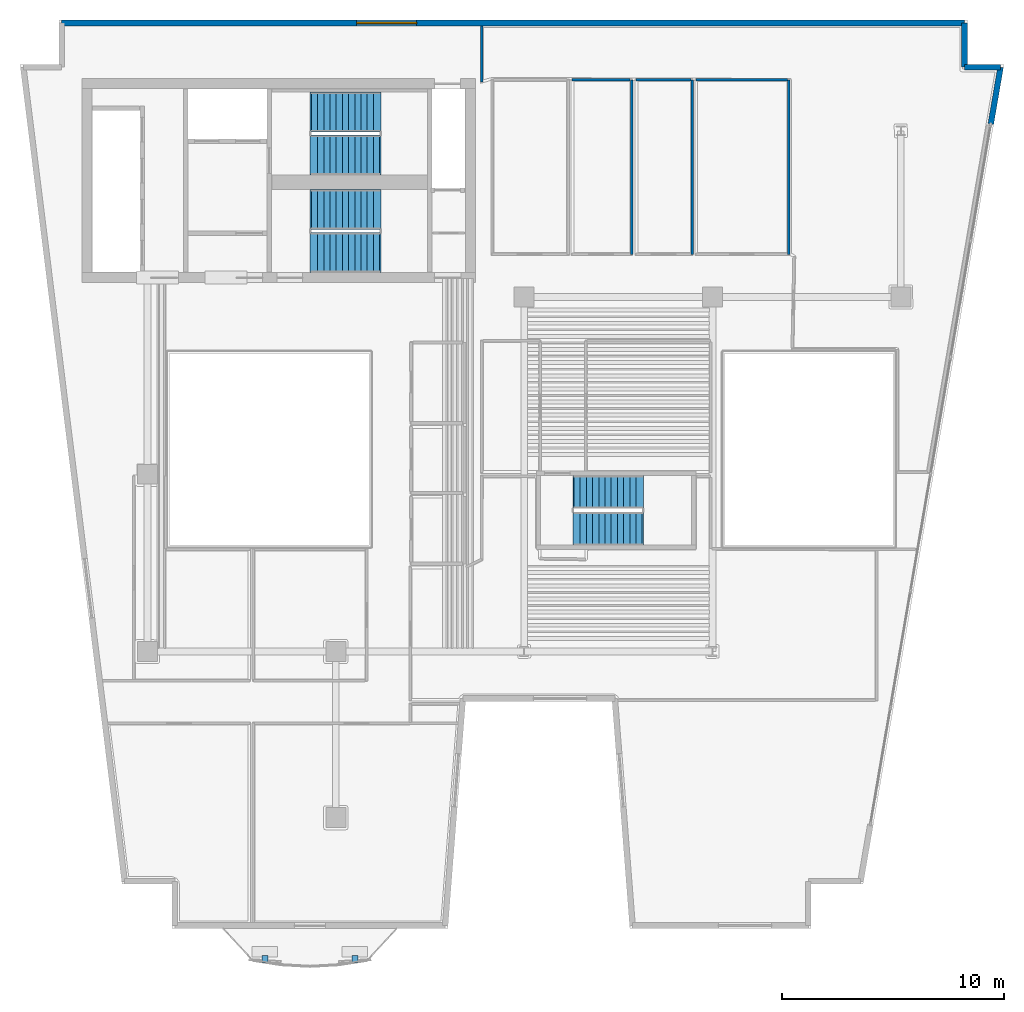
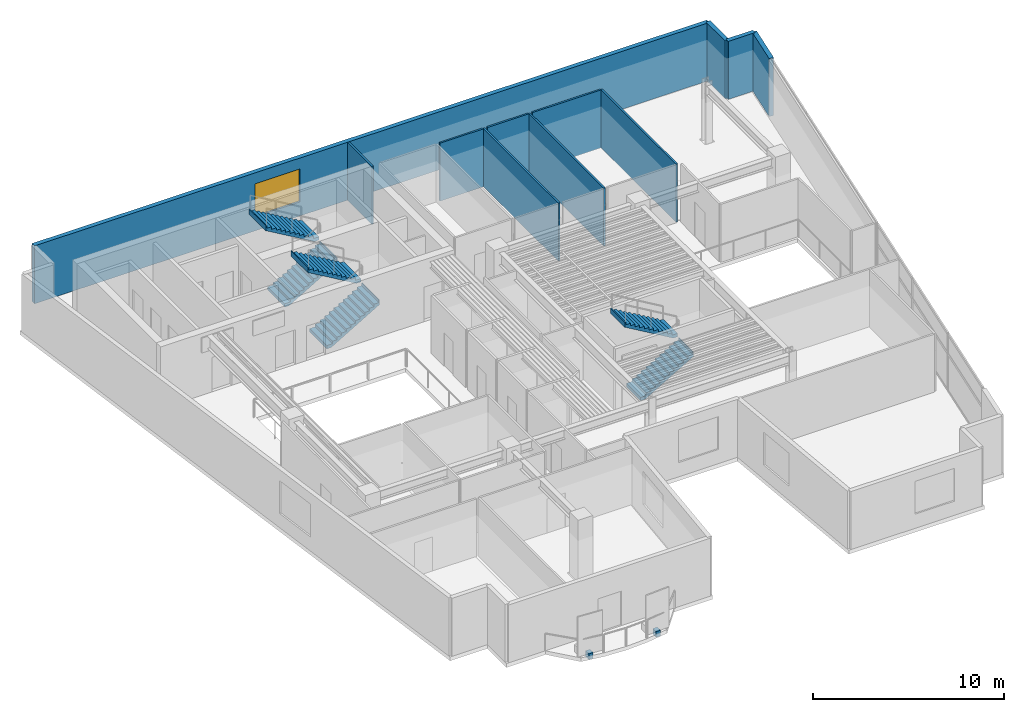
# One storey, part 6 of 9: 11 walls, 6 stair flights, 2 discrete accessories, 1 window, 1 opening, 3 elements without a shape of their own.
"""IFC4 building model written with IfcOpenShell, lengths in metres."""

from ifc_helpers import new_model, si_unit, direction, frame, frame_2d, origin, origin_2d, place, context, subcontext, project, spatial, polyline, rectangle, outline, extrude, material, layer, layer_set, type_object, element, fill, aggregate, save


model = new_model("IFC4")

# Units and contexts
model_context = context("Model", 3, precision=1e-05, world=origin(), true_north=direction((0.0, 1.0)))
body_context = subcontext(model_context, "Body", "Model", "MODEL_VIEW")
ifc_project = project(units=[si_unit("LENGTHUNIT", "METRE"), si_unit("AREAUNIT", "SQUARE_METRE"), si_unit("VOLUMEUNIT", "CUBIC_METRE"), si_unit("PLANEANGLEUNIT", "RADIAN"), si_unit("MASSUNIT", "GRAM", prefix="KILO")], contexts=[model_context])

# Site, building, storey
site_placement = place(None, origin())
site = spatial("IfcSite", under=ifc_project, at=site_placement, CompositionType="ELEMENT")
building_placement = place(site_placement, origin())
building = spatial("IfcBuilding", under=site, at=building_placement, Name="Caeloran Harvest Quay", CompositionType="ELEMENT")
storey_placement = place(building_placement, frame((0.0, 0.0, 199.550048828125)))
storey = spatial("IfcBuildingStorey", under=building, at=storey_placement, Name="L47", CompositionType="ELEMENT", Elevation=199.550048828125)

# Wall, opening, window
ifc_material_1 = material(Name="Precast concrete C50/60", Category="concrete")
ifc_layer_1 = layer(ifc_material_1, 0.260009765625, Name="Precast concrete C50/60")
ifc_layer_set_1 = layer_set([ifc_layer_1], Name="Precast concrete C50/60")
wall_type_1 = type_object("IfcWallType", Name="ENV-WALL-EW-260", PredefinedType="STANDARD", material=ifc_layer_set_1)
wall_1_placement = place(storey_placement, frame((4.6298828125, 43.3701171875, 0.0), z_axis=(0.0, 0.0, 1.0), x_axis=(1.0, 0.0, 0.0)))
wall_1 = element("IfcWall", 1, at=wall_1_placement, inside=storey, type_object=wall_type_1, Name="L47 Exterior Precast Concrete Facade Wall 6", PredefinedType="STANDARD", context=body_context, shape_type="SweptSolid", body=[
    extrude(rectangle(XDim=40.740234375, YDim=0.260009765625, at=frame_2d((20.3701171875, 0.0))), origin(), (0.0, 0.0, 1.0), 3.699951171875),
])
opening_placement = place(wall_1_placement, frame((13.31591796875, 0.0, 0.89990234375)))
opening = element("IfcOpeningElement", 2, at=opening_placement, cuts=wall_1, Name="Opening W-07", PredefinedType="OPENING", context=body_context, shape_type="SweptSolid", body=[
    extrude(rectangle(XDim=2.699951171875, YDim=2.10009765625, at=frame_2d((1.35009765625, 1.050048828125))), frame((0.0, 0.14013671875, 0.0), z_axis=(0.0, -1.0, 0.0), x_axis=(1.0, 0.0, 0.0)), (0.0, 0.0, 1.0), 0.280029296875),
])
ifc_material_2 = material(Name="Aluminium-Framed Low-E Laminated Glass", Category="aluminium")
window_type = type_object("IfcWindowType", Name="WIN-W-07", PartitioningType="DOUBLE_PANEL_VERTICAL", PredefinedType="WINDOW", material=ifc_material_2)
window_placement = place(opening_placement, origin())
window = element("IfcWindow", 3, at=window_placement, inside=storey, type_object=window_type, Name="L47 Facade Punched Window W-07", OverallHeight=2.10009765625, OverallWidth=2.699951171875, PartitioningType="DOUBLE_PANEL_VERTICAL", PredefinedType="WINDOW", context=body_context, shape_type="SweptSolid", body=[
    extrude(rectangle(XDim=2.699951171875, YDim=2.10009765625, at=frame_2d((1.35009765625, 1.050048828125))), frame((0.0, 0.030029296875, 0.0), z_axis=(0.0, -1.0, 0.0), x_axis=(1.0, 0.0, 0.0)), (0.0, 0.0, 1.0), 0.06005859375),
])
fill(opening, window)

# Walls
wall_2_placement = place(storey_placement, frame((45.3701171875, 43.3701171875, 0.0), z_axis=(0.0, 0.0, 1.0), x_axis=(0.0, -1.0, 0.0)))
element("IfcWall", 4, at=wall_2_placement, inside=storey, type_object=wall_type_1, Name="L47 Exterior Precast Concrete Facade Wall 7", PredefinedType="STANDARD", context=body_context, shape_type="SweptSolid", body=[
    extrude(rectangle(XDim=2.0, YDim=0.260009765625, at=frame_2d((1.0, 0.0))), origin(), (0.0, 0.0, 1.0), 3.699951171875),
])
wall_3_placement = place(storey_placement, frame((45.3701171875, 41.3701171875, 0.0), z_axis=(0.0, 0.0, 1.0), x_axis=(1.0, 0.0, 0.0)))
element("IfcWall", 5, at=wall_3_placement, inside=storey, type_object=wall_type_1, Name="L47 Exterior Precast Concrete Facade Wall 8", PredefinedType="STANDARD", context=body_context, shape_type="SweptSolid", body=[
    extrude(rectangle(XDim=1.6318359375, YDim=0.260009765625, at=frame_2d((0.81591796875, 0.0))), origin(), (0.0, 0.0, 1.0), 3.699951171875),
])
wall_4_placement = place(storey_placement, frame((47.001953125, 41.3701171875, 0.0), z_axis=(0.0, 0.0, 1.0), x_axis=(-0.169391215599, -0.98554889076, 0.0)))
element("IfcWall", 6, at=wall_4_placement, inside=storey, type_object=wall_type_1, Name="L47 Exterior Facade Corner Pier Wall 9A", PredefinedType="STANDARD", context=body_context, shape_type="SweptSolid", body=[
    extrude(rectangle(XDim=2.60009765625, YDim=0.260009765625, at=frame_2d((1.300048828125, 0.0))), origin(), (0.0, 0.0, 1.0), 3.699951171875),
])
ifc_material_3 = material(Name="Single-Stud Acoustic Gypsum Office Partition", Category="gypsum")
ifc_layer_2 = layer(ifc_material_3, 0.112060546875, Name="Single-Stud Acoustic Gypsum Office Partition")
ifc_layer_set_2 = layer_set([ifc_layer_2], Name="Single-Stud Acoustic Gypsum Office Partition")
wall_type_2 = type_object("IfcWallType", Name="INT-WALL-PW-112", PredefinedType="PARTITIONING", material=ifc_layer_set_2)
wall_5_placement = place(storey_placement, frame((30.35009765625, 40.800048828125, 0.0), z_axis=(0.0, 0.0, 1.0), x_axis=(0.0, -1.0, 0.0)))
element("IfcWall", 7, at=wall_5_placement, inside=storey, type_object=wall_type_2, Name="L47 Seed Imaging Laboratory Partition Wall", PredefinedType="PARTITIONING", context=body_context, shape_type="SweptSolid", body=[
    extrude(rectangle(XDim=7.880126953125, YDim=0.112060546875, at=frame_2d((3.93994140625, 0.0))), origin(), (0.0, 0.0, 1.0), 3.699951171875),
])
wall_6_placement = place(storey_placement, frame((27.659912109375, 40.800048828125, 0.0), z_axis=(0.0, 0.0, 1.0), x_axis=(1.0, 0.0, 0.0)))
element("IfcWall", 8, at=wall_6_placement, inside=storey, type_object=wall_type_2, Name="L47 Seed Imaging Laboratory Partition Wall", PredefinedType="PARTITIONING", context=body_context, shape_type="SweptSolid", body=[
    extrude(rectangle(XDim=2.629150390625, YDim=0.112060546875, at=frame_2d((1.314453125, 0.0))), origin(), (0.0, 0.0, 1.0), 3.699951171875),
])
wall_7_placement = place(storey_placement, frame((33.090087890625, 40.800048828125, 0.0), z_axis=(0.0, 0.0, 1.0), x_axis=(0.0, -1.0, 0.0)))
element("IfcWall", 9, at=wall_7_placement, inside=storey, type_object=wall_type_2, Name="L47 Genomics Seminar West Room Partition Wall", PredefinedType="PARTITIONING", context=body_context, shape_type="SweptSolid", body=[
    extrude(rectangle(XDim=7.880126953125, YDim=0.112060546875, at=frame_2d((3.93994140625, 0.0))), origin(), (0.0, 0.0, 1.0), 3.699951171875),
])
wall_8_placement = place(storey_placement, frame((30.550048828125, 40.800048828125, 0.0), z_axis=(0.0, 0.0, 1.0), x_axis=(1.0, 0.0, 0.0)))
element("IfcWall", 10, at=wall_8_placement, inside=storey, type_object=wall_type_2, Name="L47 Genomics Seminar West Room Partition Wall", PredefinedType="PARTITIONING", context=body_context, shape_type="SweptSolid", body=[
    extrude(rectangle(XDim=2.47900390625, YDim=0.112060546875, at=frame_2d((1.239501953125, 0.0))), origin(), (0.0, 0.0, 1.0), 3.699951171875),
])
wall_9_placement = place(storey_placement, frame((37.449951171875, 40.800048828125, 0.0), z_axis=(0.0, 0.0, 1.0), x_axis=(0.0, -1.0, 0.0)))
element("IfcWall", 11, at=wall_9_placement, inside=storey, type_object=wall_type_2, Name="L47 Executive Archive East Studio Partition Wall", PredefinedType="PARTITIONING", context=body_context, shape_type="SweptSolid", body=[
    extrude(rectangle(XDim=7.880126953125, YDim=0.112060546875, at=frame_2d((3.93994140625, 0.0))), origin(), (0.0, 0.0, 1.0), 3.699951171875),
])
wall_10_placement = place(storey_placement, frame((33.25, 40.800048828125, 0.0), z_axis=(0.0, 0.0, 1.0), x_axis=(1.0, 0.0, 0.0)))
element("IfcWall", 12, at=wall_10_placement, inside=storey, type_object=wall_type_2, Name="L47 Executive Archive East Studio Partition Wall", PredefinedType="PARTITIONING", context=body_context, shape_type="SweptSolid", body=[
    extrude(rectangle(XDim=4.138916015625, YDim=0.112060546875, at=frame_2d((2.0693359375, 0.0))), origin(), (0.0, 0.0, 1.0), 3.699951171875),
])
wall_11_placement = place(storey_placement, frame((23.580078125, 40.693115234375, 0.0), z_axis=(0.0, 0.0, 1.0), x_axis=(0.0, 1.0, 0.0)))
element("IfcWall", 13, at=wall_11_placement, inside=storey, type_object=wall_type_2, Name="IT Comms Laboratory Partition Wall", PredefinedType="PARTITIONING", context=body_context, shape_type="SweptSolid", body=[
    extrude(rectangle(XDim=2.5419921875, YDim=0.112060546875, at=frame_2d((1.27099609375, 0.0))), origin(), (0.0, 0.0, 1.0), 3.699951171875),
])

# Stair, stair flights
ifc_material_4 = material(Name="Concrete C50/60", Category="concrete")
stair_type_1 = type_object("IfcStairType", Name="STAIR-STC-180", PredefinedType="HALF_TURN_STAIR", material=ifc_material_4)
stair_1_placement = place(storey_placement, origin())
stair_1 = element("IfcStair", 14, at=stair_1_placement, inside=storey, type_object=stair_type_1, Name="L47 Core Pressurized Exit Stair ST-C1", PredefinedType="HALF_TURN_STAIR")
stair_flight_type_1 = type_object("IfcStairFlightType", Name="FLIGHT-STC-180", PredefinedType="STRAIGHT", material=ifc_material_4)
stair_flight_1_placement = place(storey_placement, frame((15.89990234375, 37.39990234375, 0.0), z_axis=(0.0, 0.0, 1.0), x_axis=(1.0, 0.0, 0.0)))
stair_flight_1 = element("IfcStairFlight", 15, at=stair_flight_1_placement, type_object=stair_flight_type_1, Name="ST-C1 flight 1", NumberOfRisers=12, NumberOfTreads=11, PredefinedType="STRAIGHT", RiserHeight=0.164583333, TreadLength=0.28, context=body_context, shape_type="SweptSolid", body=[
    extrude(outline(polyline([(-0.054931640625, -0.044921875), (-0.054931640625, -0.031982421875), (-0.054931640625, -0.018798828125), (-0.054931640625, -0.005615234375), (-0.054931640625, 0.00732421875), (-0.054931640625, 0.0205078125), (-0.054931640625, 0.03369140625), (-0.054931640625, 0.046630859375), (-0.054931640625, 0.059814453125), (-0.054931640625, 0.072998046875), (-0.054931640625, 0.0859375), (-0.054931640625, 0.09912109375), (-0.054931640625, 0.1123046875), (-0.054931640625, 0.125244140625), (-0.054931640625, 0.138427734375), (-0.054931640625, 0.1513671875), (-0.054931640625, 0.16455078125), (0.280029296875, 0.16455078125), (0.280029296875, 0.3291015625), (0.56005859375, 0.3291015625), (0.56005859375, 0.49365234375), (0.840087890625, 0.49365234375), (0.840087890625, 0.658447265625), (1.1201171875, 0.658447265625), (1.1201171875, 0.822998046875), (1.39990234375, 0.822998046875), (1.39990234375, 0.987548828125), (1.679931640625, 0.987548828125), (1.679931640625, 1.152099609375), (1.9599609375, 1.152099609375), (1.9599609375, 1.316650390625), (2.239990234375, 1.316650390625), (2.239990234375, 1.481201171875), (2.52001953125, 1.481201171875), (2.52001953125, 1.645751953125), (2.800048828125, 1.645751953125), (2.800048828125, 1.810302734375), (3.080078125, 1.810302734375), (3.080078125, 1.97509765625), (3.135009765625, 1.97509765625), (3.135009765625, 1.953857421875), (3.135009765625, 1.9326171875), (3.135009765625, 1.91162109375), (3.135009765625, 1.890380859375), (3.135009765625, 1.869140625), (3.135009765625, 1.84814453125), (3.135009765625, 1.826904296875), (3.135009765625, 1.8056640625), (3.135009765625, 1.78466796875), (3.135009765625, 1.763427734375), (3.135009765625, 1.7421875), (3.135009765625, 1.72119140625), (3.135009765625, 1.699951171875), (3.135009765625, 1.678955078125), (3.135009765625, 1.65771484375), (3.135009765625, 1.636474609375), (3.080078125, 1.636474609375), (0.21923828125, -0.044921875), (-0.054931640625, -0.044921875)])), frame((0.0, 0.89990234375, 0.0), z_axis=(0.0, -1.0, 0.0), x_axis=(1.0, 0.0, 0.0)), (0.0, 0.0, 1.0), 1.800048828125),
])
stair_flight_2_placement = place(storey_placement, frame((18.97998046875, 39.35009765625, 1.974853515625), z_axis=(0.0, 0.0, 1.0), x_axis=(-1.0, 0.0, 0.0)))
stair_flight_2 = element("IfcStairFlight", 16, at=stair_flight_2_placement, type_object=stair_flight_type_1, Name="ST-C1 flight 2", NumberOfRisers=12, NumberOfTreads=11, PredefinedType="STRAIGHT", RiserHeight=0.164583333, TreadLength=0.28, context=body_context, shape_type="SweptSolid", body=[
    extrude(outline(polyline([(-0.054931640625, -0.044921875), (-0.054931640625, -0.031982421875), (-0.054931640625, -0.018798828125), (-0.054931640625, -0.005615234375), (-0.054931640625, 0.00732421875), (-0.054931640625, 0.0205078125), (-0.054931640625, 0.03369140625), (-0.054931640625, 0.046630859375), (-0.054931640625, 0.059814453125), (-0.054931640625, 0.072998046875), (-0.054931640625, 0.0859375), (-0.054931640625, 0.09912109375), (-0.054931640625, 0.1123046875), (-0.054931640625, 0.125244140625), (-0.054931640625, 0.138427734375), (-0.054931640625, 0.1513671875), (-0.054931640625, 0.16455078125), (0.280029296875, 0.16455078125), (0.280029296875, 0.3291015625), (0.56005859375, 0.3291015625), (0.56005859375, 0.49365234375), (0.840087890625, 0.49365234375), (0.840087890625, 0.658447265625), (1.1201171875, 0.658447265625), (1.1201171875, 0.822998046875), (1.39990234375, 0.822998046875), (1.39990234375, 0.987548828125), (1.679931640625, 0.987548828125), (1.679931640625, 1.152099609375), (1.9599609375, 1.152099609375), (1.9599609375, 1.316650390625), (2.239990234375, 1.316650390625), (2.239990234375, 1.481201171875), (2.52001953125, 1.481201171875), (2.52001953125, 1.645751953125), (2.800048828125, 1.645751953125), (2.800048828125, 1.810302734375), (3.080078125, 1.810302734375), (3.080078125, 1.97509765625), (3.135009765625, 1.97509765625), (3.135009765625, 1.953857421875), (3.135009765625, 1.9326171875), (3.135009765625, 1.91162109375), (3.135009765625, 1.890380859375), (3.135009765625, 1.869140625), (3.135009765625, 1.84814453125), (3.135009765625, 1.826904296875), (3.135009765625, 1.8056640625), (3.135009765625, 1.78466796875), (3.135009765625, 1.763427734375), (3.135009765625, 1.7421875), (3.135009765625, 1.72119140625), (3.135009765625, 1.699951171875), (3.135009765625, 1.678955078125), (3.135009765625, 1.65771484375), (3.135009765625, 1.636474609375), (3.080078125, 1.636474609375), (0.21923828125, -0.044921875), (-0.054931640625, -0.044921875)])), frame((0.0, 0.89990234375, 0.0), z_axis=(0.0, -1.0, 0.0), x_axis=(1.0, 0.0, 0.0)), (0.0, 0.0, 1.0), 1.800048828125),
])
aggregate(stair_1, [stair_flight_1, stair_flight_2])

stair_2_placement = place(storey_placement, origin())
stair_2 = element("IfcStair", 17, at=stair_2_placement, inside=storey, type_object=stair_type_1, Name="L47 Core Pressurized Exit Stair ST-C2", PredefinedType="HALF_TURN_STAIR")
stair_flight_3_placement = place(storey_placement, frame((15.89990234375, 33.0, 0.0), z_axis=(0.0, 0.0, 1.0), x_axis=(1.0, 0.0, 0.0)))
stair_flight_3 = element("IfcStairFlight", 18, at=stair_flight_3_placement, type_object=stair_flight_type_1, Name="ST-C2 flight 1", NumberOfRisers=12, NumberOfTreads=11, PredefinedType="STRAIGHT", RiserHeight=0.164583333, TreadLength=0.28, context=body_context, shape_type="SweptSolid", body=[
    extrude(outline(polyline([(-0.054931640625, -0.044921875), (-0.054931640625, -0.031982421875), (-0.054931640625, -0.018798828125), (-0.054931640625, -0.005615234375), (-0.054931640625, 0.00732421875), (-0.054931640625, 0.0205078125), (-0.054931640625, 0.03369140625), (-0.054931640625, 0.046630859375), (-0.054931640625, 0.059814453125), (-0.054931640625, 0.072998046875), (-0.054931640625, 0.0859375), (-0.054931640625, 0.09912109375), (-0.054931640625, 0.1123046875), (-0.054931640625, 0.125244140625), (-0.054931640625, 0.138427734375), (-0.054931640625, 0.1513671875), (-0.054931640625, 0.16455078125), (0.280029296875, 0.16455078125), (0.280029296875, 0.3291015625), (0.56005859375, 0.3291015625), (0.56005859375, 0.49365234375), (0.840087890625, 0.49365234375), (0.840087890625, 0.658447265625), (1.1201171875, 0.658447265625), (1.1201171875, 0.822998046875), (1.39990234375, 0.822998046875), (1.39990234375, 0.987548828125), (1.679931640625, 0.987548828125), (1.679931640625, 1.152099609375), (1.9599609375, 1.152099609375), (1.9599609375, 1.316650390625), (2.239990234375, 1.316650390625), (2.239990234375, 1.481201171875), (2.52001953125, 1.481201171875), (2.52001953125, 1.645751953125), (2.800048828125, 1.645751953125), (2.800048828125, 1.810302734375), (3.080078125, 1.810302734375), (3.080078125, 1.97509765625), (3.135009765625, 1.97509765625), (3.135009765625, 1.953857421875), (3.135009765625, 1.9326171875), (3.135009765625, 1.91162109375), (3.135009765625, 1.890380859375), (3.135009765625, 1.869140625), (3.135009765625, 1.84814453125), (3.135009765625, 1.826904296875), (3.135009765625, 1.8056640625), (3.135009765625, 1.78466796875), (3.135009765625, 1.763427734375), (3.135009765625, 1.7421875), (3.135009765625, 1.72119140625), (3.135009765625, 1.699951171875), (3.135009765625, 1.678955078125), (3.135009765625, 1.65771484375), (3.135009765625, 1.636474609375), (3.080078125, 1.636474609375), (0.21923828125, -0.044921875), (-0.054931640625, -0.044921875)])), frame((0.0, 0.89990234375, 0.0), z_axis=(0.0, -1.0, 0.0), x_axis=(1.0, 0.0, 0.0)), (0.0, 0.0, 1.0), 1.800048828125),
])
stair_flight_4_placement = place(storey_placement, frame((18.97998046875, 34.949951171875, 1.974853515625), z_axis=(0.0, 0.0, 1.0), x_axis=(-1.0, 0.0, 0.0)))
stair_flight_4 = element("IfcStairFlight", 19, at=stair_flight_4_placement, type_object=stair_flight_type_1, Name="ST-C2 flight 2", NumberOfRisers=12, NumberOfTreads=11, PredefinedType="STRAIGHT", RiserHeight=0.164583333, TreadLength=0.28, context=body_context, shape_type="SweptSolid", body=[
    extrude(outline(polyline([(-0.054931640625, -0.044921875), (-0.054931640625, -0.031982421875), (-0.054931640625, -0.018798828125), (-0.054931640625, -0.005615234375), (-0.054931640625, 0.00732421875), (-0.054931640625, 0.0205078125), (-0.054931640625, 0.03369140625), (-0.054931640625, 0.046630859375), (-0.054931640625, 0.059814453125), (-0.054931640625, 0.072998046875), (-0.054931640625, 0.0859375), (-0.054931640625, 0.09912109375), (-0.054931640625, 0.1123046875), (-0.054931640625, 0.125244140625), (-0.054931640625, 0.138427734375), (-0.054931640625, 0.1513671875), (-0.054931640625, 0.16455078125), (0.280029296875, 0.16455078125), (0.280029296875, 0.3291015625), (0.56005859375, 0.3291015625), (0.56005859375, 0.49365234375), (0.840087890625, 0.49365234375), (0.840087890625, 0.658447265625), (1.1201171875, 0.658447265625), (1.1201171875, 0.822998046875), (1.39990234375, 0.822998046875), (1.39990234375, 0.987548828125), (1.679931640625, 0.987548828125), (1.679931640625, 1.152099609375), (1.9599609375, 1.152099609375), (1.9599609375, 1.316650390625), (2.239990234375, 1.316650390625), (2.239990234375, 1.481201171875), (2.52001953125, 1.481201171875), (2.52001953125, 1.645751953125), (2.800048828125, 1.645751953125), (2.800048828125, 1.810302734375), (3.080078125, 1.810302734375), (3.080078125, 1.97509765625), (3.135009765625, 1.97509765625), (3.135009765625, 1.953857421875), (3.135009765625, 1.9326171875), (3.135009765625, 1.91162109375), (3.135009765625, 1.890380859375), (3.135009765625, 1.869140625), (3.135009765625, 1.84814453125), (3.135009765625, 1.826904296875), (3.135009765625, 1.8056640625), (3.135009765625, 1.78466796875), (3.135009765625, 1.763427734375), (3.135009765625, 1.7421875), (3.135009765625, 1.72119140625), (3.135009765625, 1.699951171875), (3.135009765625, 1.678955078125), (3.135009765625, 1.65771484375), (3.135009765625, 1.636474609375), (3.080078125, 1.636474609375), (0.21923828125, -0.044921875), (-0.054931640625, -0.044921875)])), frame((0.0, 0.89990234375, 0.0), z_axis=(0.0, -1.0, 0.0), x_axis=(1.0, 0.0, 0.0)), (0.0, 0.0, 1.0), 1.800048828125),
])
aggregate(stair_2, [stair_flight_3, stair_flight_4])

stair_type_2 = type_object("IfcStairType", Name="STAIR-STW-150", PredefinedType="HALF_TURN_STAIR", material=ifc_material_4)
stair_3_placement = place(storey_placement, origin())
stair_3 = element("IfcStair", 20, at=stair_3_placement, inside=storey, type_object=stair_type_2, Name="L47 East Wing Protected Exit Stair ST-W1", PredefinedType="HALF_TURN_STAIR")
stair_flight_type_2 = type_object("IfcStairFlightType", Name="FLIGHT-STW-150", PredefinedType="STRAIGHT", material=ifc_material_4)
stair_flight_5_placement = place(storey_placement, frame((27.75, 20.550048828125, 0.0), z_axis=(0.0, 0.0, 1.0), x_axis=(1.0, 0.0, 0.0)))
stair_flight_5 = element("IfcStairFlight", 21, at=stair_flight_5_placement, type_object=stair_flight_type_2, Name="ST-W1 flight 1", NumberOfRisers=12, NumberOfTreads=11, PredefinedType="STRAIGHT", RiserHeight=0.164583333, TreadLength=0.28, context=body_context, shape_type="SweptSolid", body=[
    extrude(outline(polyline([(-0.054931640625, -0.044921875), (-0.054931640625, -0.031982421875), (-0.054931640625, -0.018798828125), (-0.054931640625, -0.005615234375), (-0.054931640625, 0.00732421875), (-0.054931640625, 0.0205078125), (-0.054931640625, 0.03369140625), (-0.054931640625, 0.046630859375), (-0.054931640625, 0.059814453125), (-0.054931640625, 0.072998046875), (-0.054931640625, 0.0859375), (-0.054931640625, 0.09912109375), (-0.054931640625, 0.1123046875), (-0.054931640625, 0.125244140625), (-0.054931640625, 0.138427734375), (-0.054931640625, 0.1513671875), (-0.054931640625, 0.16455078125), (0.280029296875, 0.16455078125), (0.280029296875, 0.3291015625), (0.56005859375, 0.3291015625), (0.56005859375, 0.49365234375), (0.840087890625, 0.49365234375), (0.840087890625, 0.658447265625), (1.1201171875, 0.658447265625), (1.1201171875, 0.822998046875), (1.39990234375, 0.822998046875), (1.39990234375, 0.987548828125), (1.679931640625, 0.987548828125), (1.679931640625, 1.152099609375), (1.9599609375, 1.152099609375), (1.9599609375, 1.316650390625), (2.239990234375, 1.316650390625), (2.239990234375, 1.481201171875), (2.52001953125, 1.481201171875), (2.52001953125, 1.645751953125), (2.800048828125, 1.645751953125), (2.800048828125, 1.810302734375), (3.080078125, 1.810302734375), (3.080078125, 1.97509765625), (3.135009765625, 1.97509765625), (3.135009765625, 1.953857421875), (3.135009765625, 1.9326171875), (3.135009765625, 1.91162109375), (3.135009765625, 1.890380859375), (3.135009765625, 1.869140625), (3.135009765625, 1.84814453125), (3.135009765625, 1.826904296875), (3.135009765625, 1.8056640625), (3.135009765625, 1.78466796875), (3.135009765625, 1.763427734375), (3.135009765625, 1.7421875), (3.135009765625, 1.72119140625), (3.135009765625, 1.699951171875), (3.135009765625, 1.678955078125), (3.135009765625, 1.65771484375), (3.135009765625, 1.636474609375), (3.080078125, 1.636474609375), (0.21923828125, -0.044921875), (-0.054931640625, -0.044921875)])), frame((0.0, 0.75, 0.0), z_axis=(0.0, -1.0, 0.0), x_axis=(1.0, 0.0, 0.0)), (0.0, 0.0, 1.0), 1.5),
])
stair_flight_6_placement = place(storey_placement, frame((30.830078125, 22.199951171875, 1.974853515625), z_axis=(0.0, 0.0, 1.0), x_axis=(-1.0, 0.0, 0.0)))
stair_flight_6 = element("IfcStairFlight", 22, at=stair_flight_6_placement, type_object=stair_flight_type_2, Name="ST-W1 flight 2", NumberOfRisers=12, NumberOfTreads=11, PredefinedType="STRAIGHT", RiserHeight=0.164583333, TreadLength=0.28, context=body_context, shape_type="SweptSolid", body=[
    extrude(outline(polyline([(-0.054931640625, -0.044921875), (-0.054931640625, -0.031982421875), (-0.054931640625, -0.018798828125), (-0.054931640625, -0.005615234375), (-0.054931640625, 0.00732421875), (-0.054931640625, 0.0205078125), (-0.054931640625, 0.03369140625), (-0.054931640625, 0.046630859375), (-0.054931640625, 0.059814453125), (-0.054931640625, 0.072998046875), (-0.054931640625, 0.0859375), (-0.054931640625, 0.09912109375), (-0.054931640625, 0.1123046875), (-0.054931640625, 0.125244140625), (-0.054931640625, 0.138427734375), (-0.054931640625, 0.1513671875), (-0.054931640625, 0.16455078125), (0.280029296875, 0.16455078125), (0.280029296875, 0.3291015625), (0.56005859375, 0.3291015625), (0.56005859375, 0.49365234375), (0.840087890625, 0.49365234375), (0.840087890625, 0.658447265625), (1.1201171875, 0.658447265625), (1.1201171875, 0.822998046875), (1.39990234375, 0.822998046875), (1.39990234375, 0.987548828125), (1.679931640625, 0.987548828125), (1.679931640625, 1.152099609375), (1.9599609375, 1.152099609375), (1.9599609375, 1.316650390625), (2.239990234375, 1.316650390625), (2.239990234375, 1.481201171875), (2.52001953125, 1.481201171875), (2.52001953125, 1.645751953125), (2.800048828125, 1.645751953125), (2.800048828125, 1.810302734375), (3.080078125, 1.810302734375), (3.080078125, 1.97509765625), (3.135009765625, 1.97509765625), (3.135009765625, 1.953857421875), (3.135009765625, 1.9326171875), (3.135009765625, 1.91162109375), (3.135009765625, 1.890380859375), (3.135009765625, 1.869140625), (3.135009765625, 1.84814453125), (3.135009765625, 1.826904296875), (3.135009765625, 1.8056640625), (3.135009765625, 1.78466796875), (3.135009765625, 1.763427734375), (3.135009765625, 1.7421875), (3.135009765625, 1.72119140625), (3.135009765625, 1.699951171875), (3.135009765625, 1.678955078125), (3.135009765625, 1.65771484375), (3.135009765625, 1.636474609375), (3.080078125, 1.636474609375), (0.21923828125, -0.044921875), (-0.054931640625, -0.044921875)])), frame((0.0, 0.75, 0.0), z_axis=(0.0, -1.0, 0.0), x_axis=(1.0, 0.0, 0.0)), (0.0, 0.0, 1.0), 1.5),
])
aggregate(stair_3, [stair_flight_5, stair_flight_6])

# Discrete accessories
ifc_material_5 = material(Name="Stainless Steel Grade 316L", Category="steel")
discrete_accessory_type = type_object("IfcDiscreteAccessoryType", Name="BRACKET-SCREEN-SS", PredefinedType="BRACKET", material=ifc_material_5)
for number, where, z_axis, x_axis, name in (
    (23, (17.865478515625, 1.1064453125, -0.22021484375), (0.0, 0.0, 1.0), (1.0, 0.0, 0.0), "L47 Balcony Screen Support Bracket 1"),
    (24, (13.80419921875, 1.1064453125, -0.22021484375), (0.0, 0.0, 1.0), (1.0, 0.0, 0.0), "L47 Balcony Screen Support Bracket 2"),
):
    element("IfcDiscreteAccessory", number, at=place(storey_placement, frame(where, z_axis=z_axis, x_axis=x_axis)), inside=storey, type_object=discrete_accessory_type, Name=name, PredefinedType="BRACKET", context=body_context, shape_type="SweptSolid", body=[
        extrude(rectangle(XDim=0.260009765625, YDim=0.340087890625, at=origin_2d()), origin(), (0.0, 0.0, 1.0), 0.360107421875),
    ])

save(model, "model.ifc")
